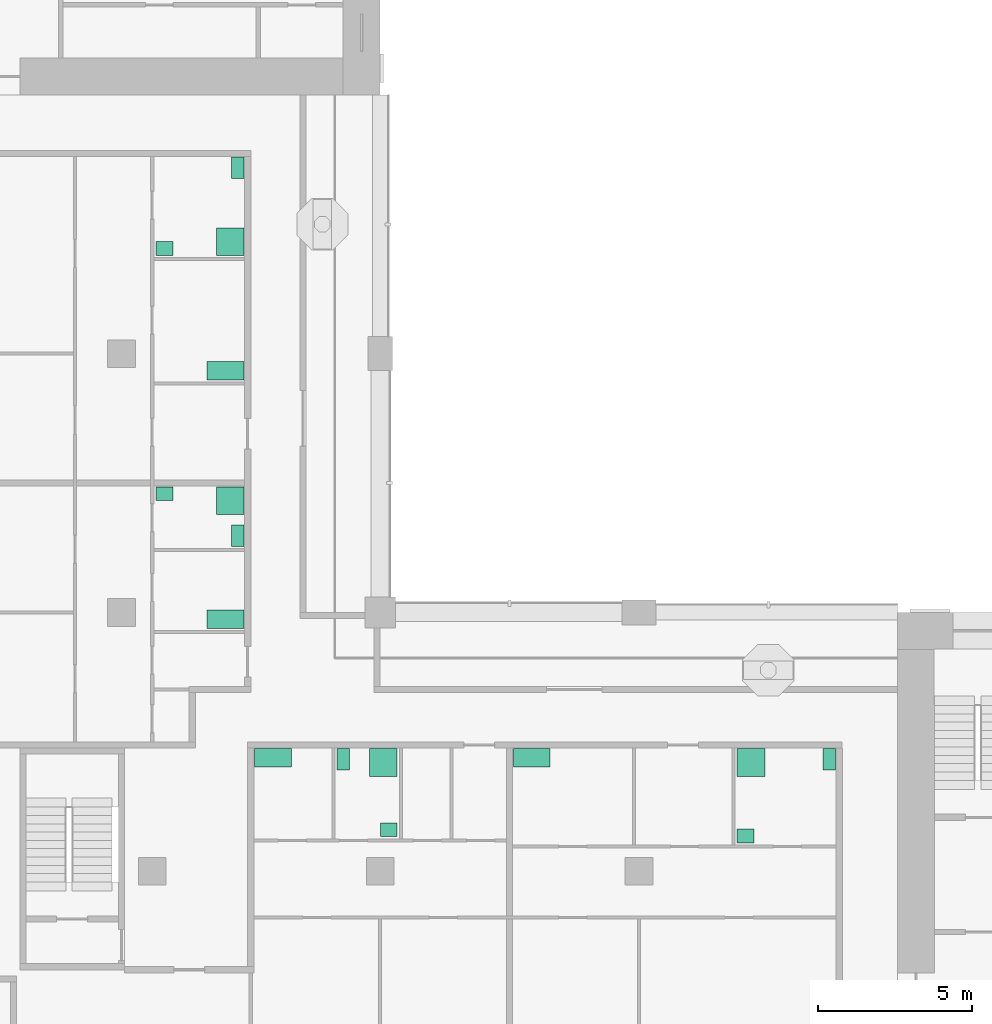
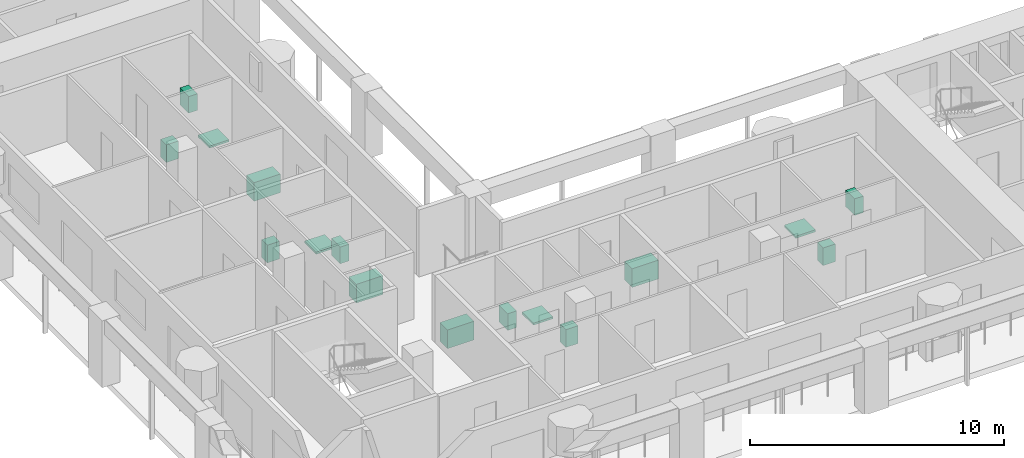
# One storey, part 10 of 12: 16 sanitary terminals.
"""IFC4 building model written with IfcOpenShell, lengths in metres."""

from ifc_helpers import new_model, si_unit, direction, frame, origin, origin_2d, place, context, subcontext, project, spatial, rectangle, extrude, material, element, save


model = new_model("IFC4")

# Units and contexts
model_context = context("Model", 3, precision=1e-05, world=origin(), true_north=direction((0.0, 1.0)))
body_context = subcontext(model_context, "Body", "Model", "MODEL_VIEW")
ifc_project = project(units=[si_unit("LENGTHUNIT", "METRE"), si_unit("AREAUNIT", "SQUARE_METRE"), si_unit("VOLUMEUNIT", "CUBIC_METRE"), si_unit("PLANEANGLEUNIT", "RADIAN"), si_unit("MASSUNIT", "GRAM", prefix="KILO")], contexts=[model_context])

# Site, building, storey
site_placement = place(None, origin())
site = spatial("IfcSite", under=ifc_project, at=site_placement, CompositionType="ELEMENT")
building_placement = place(site_placement, origin())
building = spatial("IfcBuilding", under=site, at=building_placement, Name="Vermilion Gate Residences", CompositionType="ELEMENT")
storey_placement = place(building_placement, frame((0.0, 0.0, 217.699951171875)))
storey = spatial("IfcBuildingStorey", under=building, at=storey_placement, Name="L56", CompositionType="ELEMENT", Elevation=217.699951171875)

# Sanitary terminals
ifc_material_1 = material(Name="Stainless steel", Category="steel")
sanitary_terminal_1_placement = place(storey_placement, frame((21.719970703125, 20.47998046875, 0.0), z_axis=(0.0, 0.0, 1.0), x_axis=(1.0, 0.0, 0.0)))
element("IfcSanitaryTerminal", 1, at=sanitary_terminal_1_placement, inside=storey, material=ifc_material_1, Name="Kitchen sink", PredefinedType="SINK", context=body_context, shape_type="SweptSolid", body=[
    extrude(rectangle(XDim=1.199951171875, YDim=0.60009765625, at=origin_2d()), origin(), (0.0, 0.0, 1.0), 0.89990234375),
])
ifc_material_2 = material(Name="Vitreous china")
sanitary_terminal_2_placement = place(storey_placement, frame((25.303955078125, 20.330078125, 0.0), z_axis=(0.0, 0.0, 1.0), x_axis=(1.0, 0.0, 0.0)))
element("IfcSanitaryTerminal", 2, at=sanitary_terminal_2_placement, inside=storey, material=ifc_material_2, Name="Shower tray", PredefinedType="SHOWER", context=body_context, shape_type="SweptSolid", body=[
    extrude(rectangle(XDim=0.89990234375, YDim=0.89990234375, at=origin_2d()), origin(), (0.0, 0.0, 1.0), 0.10009765625),
])
sanitary_terminal_3_placement = place(storey_placement, frame((24.00390625, 20.429931640625, 0.0), z_axis=(0.0, 0.0, 1.0), x_axis=(1.0, 0.0, 0.0)))
element("IfcSanitaryTerminal", 3, at=sanitary_terminal_3_placement, inside=storey, material=ifc_material_2, Name="Toilet", PredefinedType="TOILETPAN", context=body_context, shape_type="SweptSolid", body=[
    extrude(rectangle(XDim=0.39990234375, YDim=0.699951171875, at=origin_2d()), origin(), (0.0, 0.0, 1.0), 0.800048828125),
])
sanitary_terminal_4_placement = place(storey_placement, frame((25.47900390625, 18.14501953125, 0.0), z_axis=(0.0, 0.0, 1.0), x_axis=(1.0, 0.0, 0.0)))
element("IfcSanitaryTerminal", 4, at=sanitary_terminal_4_placement, inside=storey, material=ifc_material_2, Name="Wash basin", PredefinedType="WASHHANDBASIN", context=body_context, shape_type="SweptSolid", body=[
    extrude(rectangle(XDim=0.550048828125, YDim=0.449951171875, at=origin_2d()), origin(), (0.0, 0.0, 1.0), 0.85009765625),
])
sanitary_terminal_5_placement = place(storey_placement, frame((30.1201171875, 20.47998046875, 0.0), z_axis=(0.0, 0.0, 1.0), x_axis=(1.0, 0.0, 0.0)))
element("IfcSanitaryTerminal", 5, at=sanitary_terminal_5_placement, inside=storey, material=ifc_material_1, Name="Kitchen sink", PredefinedType="SINK", context=body_context, shape_type="SweptSolid", body=[
    extrude(rectangle(XDim=1.199951171875, YDim=0.60009765625, at=origin_2d()), origin(), (0.0, 0.0, 1.0), 0.89990234375),
])
sanitary_terminal_6_placement = place(storey_placement, frame((37.237060546875, 20.330078125, 0.0), z_axis=(0.0, 0.0, 1.0), x_axis=(1.0, 0.0, 0.0)))
element("IfcSanitaryTerminal", 6, at=sanitary_terminal_6_placement, inside=storey, material=ifc_material_2, Name="Shower tray", PredefinedType="SHOWER", context=body_context, shape_type="SweptSolid", body=[
    extrude(rectangle(XDim=0.89990234375, YDim=0.89990234375, at=origin_2d()), origin(), (0.0, 0.0, 1.0), 0.10009765625),
])
sanitary_terminal_7_placement = place(storey_placement, frame((39.780029296875, 20.429931640625, 0.0), z_axis=(0.0, 0.0, 1.0), x_axis=(1.0, 0.0, 0.0)))
element("IfcSanitaryTerminal", 7, at=sanitary_terminal_7_placement, inside=storey, material=ifc_material_2, Name="Toilet", PredefinedType="TOILETPAN", context=body_context, shape_type="SweptSolid", body=[
    extrude(rectangle(XDim=0.39990234375, YDim=0.699951171875, at=origin_2d()), origin(), (0.0, 0.0, 1.0), 0.800048828125),
])
sanitary_terminal_8_placement = place(storey_placement, frame((37.06201171875, 17.945068359375, 0.0), z_axis=(0.0, 0.0, 1.0), x_axis=(1.0, 0.0, 0.0)))
element("IfcSanitaryTerminal", 8, at=sanitary_terminal_8_placement, inside=storey, material=ifc_material_2, Name="Wash basin", PredefinedType="WASHHANDBASIN", context=body_context, shape_type="SweptSolid", body=[
    extrude(rectangle(XDim=0.550048828125, YDim=0.449951171875, at=origin_2d()), origin(), (0.0, 0.0, 1.0), 0.85009765625),
])
sanitary_terminal_9_placement = place(storey_placement, frame((20.179931640625, 24.98291015625, 0.0), z_axis=(0.0, 0.0, 1.0), x_axis=(1.0, 0.0, 0.0)))
element("IfcSanitaryTerminal", 9, at=sanitary_terminal_9_placement, inside=storey, material=ifc_material_1, Name="Kitchen sink", PredefinedType="SINK", context=body_context, shape_type="SweptSolid", body=[
    extrude(rectangle(XDim=1.199951171875, YDim=0.60009765625, at=origin_2d()), origin(), (0.0, 0.0, 1.0), 0.89990234375),
])
sanitary_terminal_10_placement = place(storey_placement, frame((20.330078125, 28.830078125, 0.0), z_axis=(0.0, 0.0, 1.0), x_axis=(1.0, 0.0, 0.0)))
element("IfcSanitaryTerminal", 10, at=sanitary_terminal_10_placement, inside=storey, material=ifc_material_2, Name="Shower tray", PredefinedType="SHOWER", context=body_context, shape_type="SweptSolid", body=[
    extrude(rectangle(XDim=0.89990234375, YDim=0.89990234375, at=origin_2d()), origin(), (0.0, 0.0, 1.0), 0.10009765625),
])
sanitary_terminal_11_placement = place(storey_placement, frame((20.580078125, 27.695068359375, 0.0), z_axis=(0.0, 0.0, 1.0), x_axis=(1.0, 0.0, 0.0)))
element("IfcSanitaryTerminal", 11, at=sanitary_terminal_11_placement, inside=storey, material=ifc_material_2, Name="Toilet", PredefinedType="TOILETPAN", context=body_context, shape_type="SweptSolid", body=[
    extrude(rectangle(XDim=0.39990234375, YDim=0.699951171875, at=origin_2d()), origin(), (0.0, 0.0, 1.0), 0.800048828125),
])
sanitary_terminal_12_placement = place(storey_placement, frame((18.195068359375, 29.054931640625, 0.0), z_axis=(0.0, 0.0, 1.0), x_axis=(1.0, 0.0, 0.0)))
element("IfcSanitaryTerminal", 12, at=sanitary_terminal_12_placement, inside=storey, material=ifc_material_2, Name="Wash basin", PredefinedType="WASHHANDBASIN", context=body_context, shape_type="SweptSolid", body=[
    extrude(rectangle(XDim=0.550048828125, YDim=0.449951171875, at=origin_2d()), origin(), (0.0, 0.0, 1.0), 0.85009765625),
])
sanitary_terminal_13_placement = place(storey_placement, frame((20.179931640625, 33.052978515625, 0.0), z_axis=(0.0, 0.0, 1.0), x_axis=(1.0, 0.0, 0.0)))
element("IfcSanitaryTerminal", 13, at=sanitary_terminal_13_placement, inside=storey, material=ifc_material_1, Name="Kitchen sink", PredefinedType="SINK", context=body_context, shape_type="SweptSolid", body=[
    extrude(rectangle(XDim=1.199951171875, YDim=0.60009765625, at=origin_2d()), origin(), (0.0, 0.0, 1.0), 0.89990234375),
])
sanitary_terminal_14_placement = place(storey_placement, frame((20.330078125, 37.237060546875, 0.0), z_axis=(0.0, 0.0, 1.0), x_axis=(1.0, 0.0, 0.0)))
element("IfcSanitaryTerminal", 14, at=sanitary_terminal_14_placement, inside=storey, material=ifc_material_2, Name="Shower tray", PredefinedType="SHOWER", context=body_context, shape_type="SweptSolid", body=[
    extrude(rectangle(XDim=0.89990234375, YDim=0.89990234375, at=origin_2d()), origin(), (0.0, 0.0, 1.0), 0.10009765625),
])
sanitary_terminal_15_placement = place(storey_placement, frame((20.580078125, 39.6298828125, 0.0), z_axis=(0.0, 0.0, 1.0), x_axis=(1.0, 0.0, 0.0)))
element("IfcSanitaryTerminal", 15, at=sanitary_terminal_15_placement, inside=storey, material=ifc_material_2, Name="Toilet", PredefinedType="TOILETPAN", context=body_context, shape_type="SweptSolid", body=[
    extrude(rectangle(XDim=0.39990234375, YDim=0.699951171875, at=origin_2d()), origin(), (0.0, 0.0, 1.0), 0.800048828125),
])
sanitary_terminal_16_placement = place(storey_placement, frame((18.195068359375, 37.011962890625, 0.0), z_axis=(0.0, 0.0, 1.0), x_axis=(1.0, 0.0, 0.0)))
element("IfcSanitaryTerminal", 16, at=sanitary_terminal_16_placement, inside=storey, material=ifc_material_2, Name="Wash basin", PredefinedType="WASHHANDBASIN", context=body_context, shape_type="SweptSolid", body=[
    extrude(rectangle(XDim=0.550048828125, YDim=0.449951171875, at=origin_2d()), origin(), (0.0, 0.0, 1.0), 0.85009765625),
])

save(model, "model.ifc")
